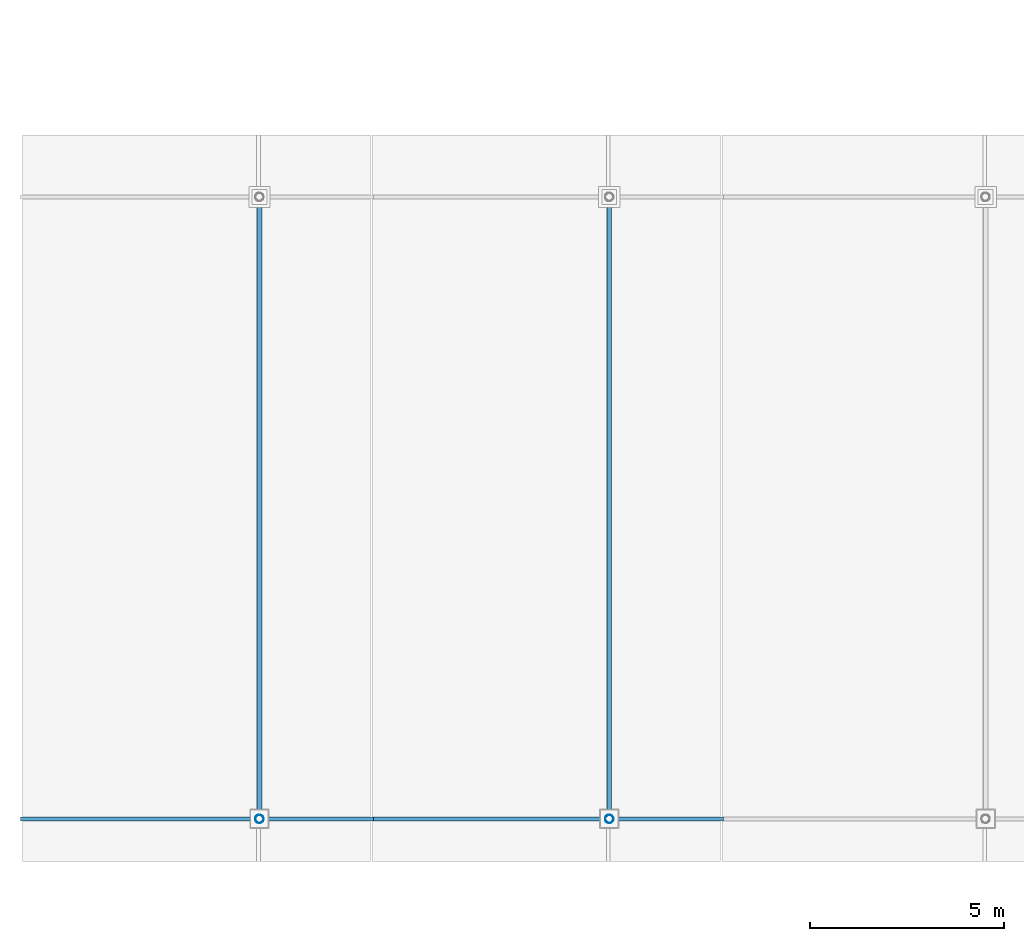
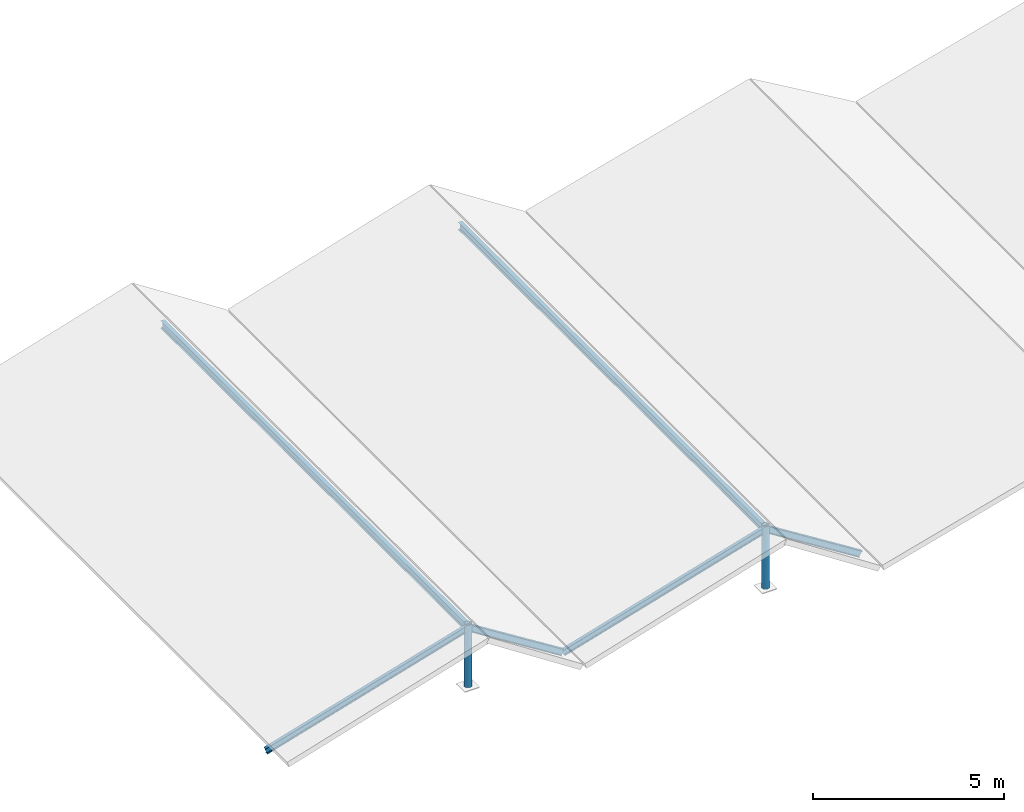
# One storey, part 2 of 70: 6 beams, 2 members.
"""IFC4 building model written with IfcOpenShell, lengths in metres."""

from ifc_helpers import new_model, si_unit, direction, frame, origin, origin_2d, place, context, subcontext, project, spatial, hollow_circle, i_section, extrude, material, material_profile, profile_set, type_object, element, save


model = new_model("IFC4")

# Units and contexts
model_context = context("Model", 3, precision=1e-05, world=origin(), true_north=direction((0.0, 1.0)))
body_context = subcontext(model_context, "Body", "Model", "MODEL_VIEW")
ifc_project = project(units=[si_unit("LENGTHUNIT", "METRE"), si_unit("AREAUNIT", "SQUARE_METRE"), si_unit("VOLUMEUNIT", "CUBIC_METRE"), si_unit("PLANEANGLEUNIT", "RADIAN"), si_unit("MASSUNIT", "GRAM", prefix="KILO")], contexts=[model_context])

# Site, building, storey
site_placement = place(None, origin())
site = spatial("IfcSite", under=ifc_project, at=site_placement, CompositionType="ELEMENT")
building_placement = place(site_placement, origin())
building = spatial("IfcBuilding", under=site, at=building_placement, Name="Zimvara Arc Housing Community", CompositionType="ELEMENT")
storey_placement = place(building_placement, frame((0.0, 0.0, 8.10009765625)))
storey = spatial("IfcBuildingStorey", under=building, at=storey_placement, Name="L02", CompositionType="ELEMENT", Elevation=8.10009765625)

# Beams
ifc_material_1 = material(Name="Steel S355", Category="steel")
ifc_material_profile_1 = material_profile(ifc_material_1, i_section(OverallWidth=0.10009765625, OverallDepth=0.199951171875, WebThickness=0.005615234375, FlangeThickness=0.008544921875, FilletRadius=0.011962890625, at=origin_2d()), Name="IPE 200")
ifc_profile_set_1 = profile_set([ifc_material_profile_1], Name="Steel S355")
beam_type_1 = type_object("IfcBeamType", Name="BM-ST-IPE200", PredefinedType="JOIST", material=ifc_profile_set_1)
beam_1_placement = place(storey_placement, frame((0.0, 3.60009765625, -0.690185546875), z_axis=(0.958939237971, 0.0, 0.283611596869), x_axis=(0.0, 1.0, 0.0)))
element("IfcBeam", 1, at=beam_1_placement, inside=storey, type_object=beam_type_1, Name="bm:shops:L02:raf_w:b0:y0", PredefinedType="JOIST", context=body_context, shape_type="SweptSolid", body=[
    extrude(i_section(OverallWidth=0.10009765625, OverallDepth=0.199951171875, WebThickness=0.005615234375, FlangeThickness=0.008544921875, FilletRadius=0.011962890625, at=origin_2d()), origin(), (0.0, 0.0, 1.0), 6.382080078125),
])
beam_2_placement = place(storey_placement, frame((6.1201171875, 3.60009765625, 1.119873046875), z_axis=(0.846656875719, 0.0, -0.532139206221), x_axis=(0.0, 1.0, 0.0)))
element("IfcBeam", 2, at=beam_2_placement, inside=storey, type_object=beam_type_1, Name="bm:shops:L02:raf_e:b0:y0", PredefinedType="JOIST", context=body_context, shape_type="SweptSolid", body=[
    extrude(i_section(OverallWidth=0.10009765625, OverallDepth=0.199951171875, WebThickness=0.005615234375, FlangeThickness=0.008544921875, FilletRadius=0.011962890625, at=origin_2d()), origin(), (0.0, 0.0, 1.0), 3.4013671875),
])
beam_3_placement = place(storey_placement, frame((9.0, 3.60009765625, -0.690185546875), z_axis=(0.958939237971, 0.0, 0.283611596869), x_axis=(0.0, 1.0, 0.0)))
element("IfcBeam", 3, at=beam_3_placement, inside=storey, type_object=beam_type_1, Name="bm:shops:L02:raf_w:b1:y0", PredefinedType="JOIST", context=body_context, shape_type="SweptSolid", body=[
    extrude(i_section(OverallWidth=0.10009765625, OverallDepth=0.199951171875, WebThickness=0.005615234375, FlangeThickness=0.008544921875, FilletRadius=0.011962890625, at=origin_2d()), origin(), (0.0, 0.0, 1.0), 6.382080078125),
])
beam_4_placement = place(storey_placement, frame((15.1201171875, 3.60009765625, 1.119873046875), z_axis=(0.846656875719, 0.0, -0.532139206221), x_axis=(0.0, 1.0, 0.0)))
element("IfcBeam", 4, at=beam_4_placement, inside=storey, type_object=beam_type_1, Name="bm:shops:L02:raf_e:b1:y0", PredefinedType="JOIST", context=body_context, shape_type="SweptSolid", body=[
    extrude(i_section(OverallWidth=0.10009765625, OverallDepth=0.199951171875, WebThickness=0.005615234375, FlangeThickness=0.008544921875, FilletRadius=0.011962890625, at=origin_2d()), origin(), (0.0, 0.0, 1.0), 3.4013671875),
])
ifc_material_2 = material(Name="Steel S355", Category="steel")
ifc_material_profile_2 = material_profile(ifc_material_2, i_section(OverallWidth=0.1201171875, OverallDepth=0.239990234375, WebThickness=0.006103515625, FlangeThickness=0.009765625, FilletRadius=0.014892578125, at=origin_2d()), Name="IPE 240")
ifc_profile_set_2 = profile_set([ifc_material_profile_2], Name="Steel S355")
beam_type_2 = type_object("IfcBeamType", Name="BM-ST-IPE240", PredefinedType="JOIST", material=ifc_profile_set_2)
for number, where, z_axis, x_axis, name in (
    (5, (6.1201171875, 3.60009765625, 1.119873046875), (0.0, 1.0, 0.0), (-1.0, 0.0, 0.0), "bm:shops:L02:crest_bm:b0"),
    (6, (15.1201171875, 3.60009765625, 1.119873046875), (0.0, 1.0, 0.0), (-1.0, 0.0, 0.0), "bm:shops:L02:crest_bm:b1"),
):
    element("IfcBeam", number, at=place(storey_placement, frame(where, z_axis=z_axis, x_axis=x_axis)), inside=storey, type_object=beam_type_2, Name=name, PredefinedType="JOIST", context=body_context, shape_type="SweptSolid", body=[
        extrude(i_section(OverallWidth=0.1201171875, OverallDepth=0.239990234375, WebThickness=0.006103515625, FlangeThickness=0.009765625, FilletRadius=0.014892578125, at=origin_2d()), origin(), (0.0, 0.0, 1.0), 16.0),
    ])

# Members
ifc_material_3 = material(Name="Steel S355", Category="steel")
ifc_material_profile_3 = material_profile(ifc_material_3, hollow_circle(Radius=0.109619140625, WallThickness=0.008056640625, at=origin_2d()), Name="CHS 219.1x8.0")
ifc_profile_set_3 = profile_set([ifc_material_profile_3], Name="Steel S355")
member_type = type_object("IfcMemberType", Name="MB-STRUT-CHS219", PredefinedType="STRUT", material=ifc_profile_set_3)
for number, where, z_axis, x_axis, name in (
    (7, (6.1201171875, 3.60009765625, -0.75), (0.0, 0.0, 1.0), (1.0, 0.0, 0.0), "mb:shops:L02:crest_strut:b0:y0"),
    (8, (15.1201171875, 3.60009765625, -0.75), (0.0, 0.0, 1.0), (1.0, 0.0, 0.0), "mb:shops:L02:crest_strut:b1:y0"),
):
    element("IfcMember", number, at=place(storey_placement, frame(where, z_axis=z_axis, x_axis=x_axis)), inside=storey, type_object=member_type, Name=name, PredefinedType="STRUT", context=body_context, shape_type="SweptSolid", body=[
        extrude(hollow_circle(Radius=0.109619140625, WallThickness=0.008056640625, at=origin_2d()), origin(), (0.0, 0.0, 1.0), 2.0),
    ])

save(model, "model.ifc")
